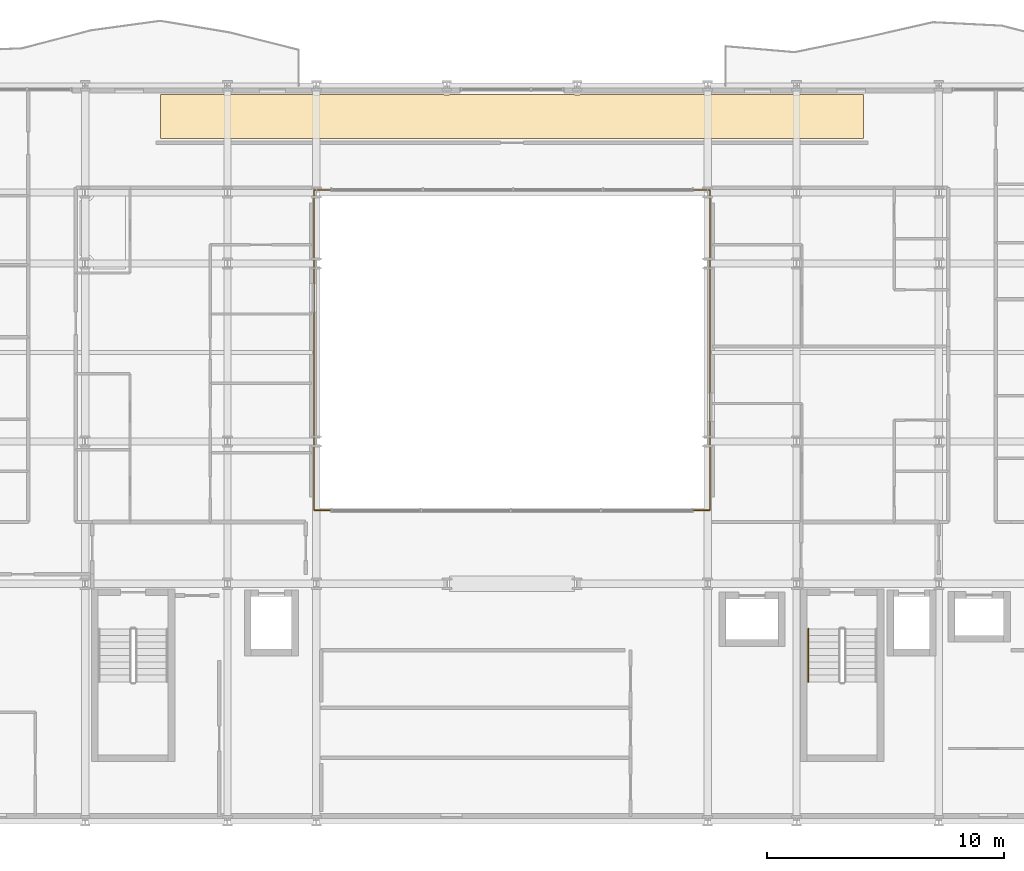
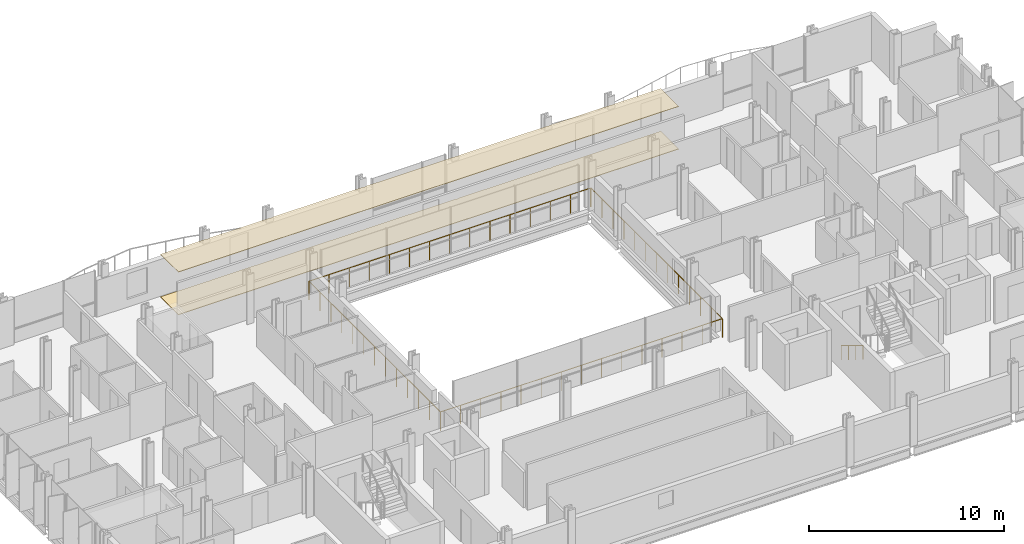
# One storey, part 36 of 38: 3 railings, 2 coverings.
"""IFC4 building model written with IfcOpenShell, lengths in metres."""

from ifc_helpers import new_model, si_unit, direction, frame, origin, origin_2d, place, context, subcontext, project, spatial, polyline, circle, outline, extrude, material, layer, layer_set, type_object, element, save


model = new_model("IFC4")

# Units and contexts
model_context = context("Model", 3, precision=1e-05, world=origin(), true_north=direction((0.0, 1.0)))
body_context = subcontext(model_context, "Body", "Model", "MODEL_VIEW")
ifc_project = project(units=[si_unit("LENGTHUNIT", "METRE"), si_unit("AREAUNIT", "SQUARE_METRE"), si_unit("VOLUMEUNIT", "CUBIC_METRE"), si_unit("PLANEANGLEUNIT", "RADIAN"), si_unit("MASSUNIT", "GRAM", prefix="KILO")], contexts=[model_context])

# Site, building, storey
site_placement = place(None, origin())
site = spatial("IfcSite", under=ifc_project, at=site_placement, CompositionType="ELEMENT")
building_placement = place(site_placement, origin())
building = spatial("IfcBuilding", under=site, at=building_placement, Name="Brevholm Reach", CompositionType="ELEMENT")
storey_placement = place(building_placement, frame((0.0, 0.0, 59.0)))
storey = spatial("IfcBuildingStorey", under=building, at=storey_placement, Name="L16", CompositionType="ELEMENT", Elevation=59.0)

# Coverings
ifc_material_1 = material(Name="Moisture-Resistant Skimmed Gypsum Plasterboard Ceiling", Category="gypsum")
ifc_layer_1 = layer(ifc_material_1, 0.030029296875)
ifc_layer_set_1 = layer_set([ifc_layer_1], Name="Moisture-Resistant Skimmed Gypsum Plasterboard Ceiling")
covering_type_1 = type_object("IfcCoveringType", Name="COV-CLG-GYP", PredefinedType="CEILING", material=ifc_layer_set_1)
covering_1_placement = place(storey_placement, frame((0.0, 0.0, 2.669921875)))
element("IfcCovering", 1, at=covering_1_placement, inside=storey, type_object=covering_type_1, Name="L16 Suspended Ceiling L16-73", PredefinedType="CEILING", context=body_context, shape_type="SweptSolid", body=[
    extrude(outline(polyline([(15.179931640625, 30.6201171875), (17.876220703125, 30.6201171875), (17.8837890625, 30.6171875), (17.922119140625, 30.607666015625), (17.960693359375, 30.601806640625), (18.0, 30.60009765625), (18.039306640625, 30.601806640625), (18.077880859375, 30.607666015625), (18.1162109375, 30.6171875), (18.123779296875, 30.6201171875), (21.626220703125, 30.6201171875), (21.6337890625, 30.6171875), (21.672119140625, 30.607666015625), (21.710693359375, 30.601806640625), (21.75, 30.60009765625), (21.789306640625, 30.601806640625), (21.827880859375, 30.607666015625), (21.8662109375, 30.6171875), (21.873779296875, 30.6201171875), (27.126220703125, 30.6201171875), (27.1337890625, 30.6171875), (27.172119140625, 30.607666015625), (27.210693359375, 30.601806640625), (27.25, 30.60009765625), (27.289306640625, 30.601806640625), (27.327880859375, 30.607666015625), (27.3662109375, 30.6171875), (27.373779296875, 30.6201171875), (32.626220703125, 30.6201171875), (32.6337890625, 30.6171875), (32.672119140625, 30.607666015625), (32.710693359375, 30.601806640625), (32.75, 30.60009765625), (32.789306640625, 30.601806640625), (32.827880859375, 30.607666015625), (32.8662109375, 30.6171875), (32.873779296875, 30.6201171875), (38.126220703125, 30.6201171875), (38.1337890625, 30.6171875), (38.172119140625, 30.607666015625), (38.210693359375, 30.601806640625), (38.25, 30.60009765625), (38.289306640625, 30.601806640625), (38.327880859375, 30.607666015625), (38.3662109375, 30.6171875), (38.373779296875, 30.6201171875), (41.876220703125, 30.6201171875), (41.8837890625, 30.6171875), (41.922119140625, 30.607666015625), (41.960693359375, 30.601806640625), (42.0, 30.60009765625), (42.039306640625, 30.601806640625), (42.077880859375, 30.607666015625), (42.1162109375, 30.6171875), (42.123779296875, 30.6201171875), (44.820068359375, 30.6201171875), (44.820068359375, 28.783935546875), (15.179931640625, 28.783935546875), (15.179931640625, 30.6201171875)])), origin(), (0.0, 0.0, 1.0), 0.030029296875),
])
ifc_material_2 = material(Name="Honed Portland-Aggregate Resin Terrazzo Flooring", Category="concrete")
ifc_layer_2 = layer(ifc_material_2, 0.031982421875)
ifc_layer_set_2 = layer_set([ifc_layer_2], Name="Honed Portland-Aggregate Resin Terrazzo Flooring")
covering_type_2 = type_object("IfcCoveringType", Name="COV-FLR-TRZ", PredefinedType="FLOORING", material=ifc_layer_set_2)
covering_2_placement = place(storey_placement, origin())
element("IfcCovering", 2, at=covering_2_placement, inside=storey, type_object=covering_type_2, Name="L16 Floor Finish L16-73", PredefinedType="FLOORING", context=body_context, shape_type="SweptSolid", body=[
    extrude(outline(polyline([(15.179931640625, 30.6201171875), (17.876220703125, 30.6201171875), (17.8837890625, 30.6171875), (17.922119140625, 30.607666015625), (17.960693359375, 30.601806640625), (18.0, 30.60009765625), (18.039306640625, 30.601806640625), (18.077880859375, 30.607666015625), (18.1162109375, 30.6171875), (18.123779296875, 30.6201171875), (21.626220703125, 30.6201171875), (21.6337890625, 30.6171875), (21.672119140625, 30.607666015625), (21.710693359375, 30.601806640625), (21.75, 30.60009765625), (21.789306640625, 30.601806640625), (21.827880859375, 30.607666015625), (21.8662109375, 30.6171875), (21.873779296875, 30.6201171875), (27.126220703125, 30.6201171875), (27.1337890625, 30.6171875), (27.172119140625, 30.607666015625), (27.210693359375, 30.601806640625), (27.25, 30.60009765625), (27.289306640625, 30.601806640625), (27.327880859375, 30.607666015625), (27.3662109375, 30.6171875), (27.373779296875, 30.6201171875), (32.626220703125, 30.6201171875), (32.6337890625, 30.6171875), (32.672119140625, 30.607666015625), (32.710693359375, 30.601806640625), (32.75, 30.60009765625), (32.789306640625, 30.601806640625), (32.827880859375, 30.607666015625), (32.8662109375, 30.6171875), (32.873779296875, 30.6201171875), (38.126220703125, 30.6201171875), (38.1337890625, 30.6171875), (38.172119140625, 30.607666015625), (38.210693359375, 30.601806640625), (38.25, 30.60009765625), (38.289306640625, 30.601806640625), (38.327880859375, 30.607666015625), (38.3662109375, 30.6171875), (38.373779296875, 30.6201171875), (41.876220703125, 30.6201171875), (41.8837890625, 30.6171875), (41.922119140625, 30.607666015625), (41.960693359375, 30.601806640625), (42.0, 30.60009765625), (42.039306640625, 30.601806640625), (42.077880859375, 30.607666015625), (42.1162109375, 30.6171875), (42.123779296875, 30.6201171875), (44.820068359375, 30.6201171875), (44.820068359375, 28.783935546875), (15.179931640625, 28.783935546875), (15.179931640625, 30.6201171875)])), origin(), (0.0, 0.0, 1.0), 0.031982421875),
])

# Railings
ifc_material_3 = material(Name="Brushed Stainless Steel EN 1.4401 Continuous Handrail", Category="steel")
railing_type_1 = type_object("IfcRailingType", Name="RAL-HND-950", PredefinedType="HANDRAIL", material=ifc_material_3)
railing_1_placement = place(storey_placement, frame((42.5, 8.10009765625, 0.172119140625)))
element("IfcRailing", 3, at=railing_1_placement, inside=storey, type_object=railing_type_1, Name="L16 ST-2 stair handrail 1", PredefinedType="HANDRAIL", context=body_context, shape_type="SweptSolid", body=[
    extrude(circle(Radius=0.02392578125, at=origin_2d()), frame((0.0, 0.0, 0.8857421875), z_axis=(0.0, -0.851747552033, 0.523952390591), x_axis=(1.0, 0.0, 0.0)), (0.0, 0.0, 1.0), 2.6298828125),
    extrude(circle(Radius=0.02099609375, at=origin_2d()), origin(), (0.0, 0.0, 1.0), 0.86181640625),
    extrude(circle(Radius=0.02099609375, at=origin_2d()), frame((0.0, -0.74658203125, 0.459228515625)), (0.0, 0.0, 1.0), 0.86181640625),
    extrude(circle(Radius=0.02099609375, at=origin_2d()), frame((0.0, -1.493408203125, 0.918701171875)), (0.0, 0.0, 1.0), 0.86181640625),
    extrude(circle(Radius=0.02099609375, at=origin_2d()), frame((0.0, -2.239990234375, 1.3779296875)), (0.0, 0.0, 1.0), 0.86181640625),
])
ifc_material_4 = material(Name="Brushed Stainless Steel EN 1.4401 and Laminated Glass", Category="steel")
railing_type_2 = type_object("IfcRailingType", Name="RAL-TERR-1200", PredefinedType="BALUSTRADE", material=ifc_material_4)
railing_2_placement = place(storey_placement, frame((21.64990234375, 13.10009765625, 0.0)))
element("IfcRailing", 4, at=railing_2_placement, inside=storey, type_object=railing_type_2, Name="L16 Guard Balustrade RAL-L16-AT-VOID-SW", PredefinedType="BALUSTRADE", context=body_context, shape_type="SweptSolid", body=[
    extrude(circle(Radius=0.02392578125, at=origin_2d()), frame((0.0, 0.0, 1.17578125), z_axis=(1.0, 0.0, 0.0), x_axis=(0.0, 1.0, 0.0)), (0.0, 0.0, 1.0), 16.7001953125),
    extrude(circle(Radius=0.02392578125, at=origin_2d()), frame((16.7001953125, 0.0, 1.17578125), z_axis=(0.0, 1.0, 0.0), x_axis=(-1.0, 0.0, 0.0)), (0.0, 0.0, 1.0), 13.47998046875),
    extrude(circle(Radius=0.02099609375, at=origin_2d()), origin(), (0.0, 0.0, 1.0), 1.15185546875),
    extrude(circle(Radius=0.02099609375, at=origin_2d()), frame((1.19287109375, 0.0, 0.0)), (0.0, 0.0, 1.0), 1.15185546875),
    extrude(circle(Radius=0.02099609375, at=origin_2d()), frame((2.3857421875, 0.0, 0.0)), (0.0, 0.0, 1.0), 1.15185546875),
    extrude(circle(Radius=0.02099609375, at=origin_2d()), frame((3.57861328125, 0.0, 0.0)), (0.0, 0.0, 1.0), 1.15185546875),
    extrude(circle(Radius=0.02099609375, at=origin_2d()), frame((4.771484375, 0.0, 0.0)), (0.0, 0.0, 1.0), 1.15185546875),
    extrude(circle(Radius=0.02099609375, at=origin_2d()), frame((5.96435546875, 0.0, 0.0)), (0.0, 0.0, 1.0), 1.15185546875),
    extrude(circle(Radius=0.02099609375, at=origin_2d()), frame((7.1572265625, 0.0, 0.0)), (0.0, 0.0, 1.0), 1.15185546875),
    extrude(circle(Radius=0.02099609375, at=origin_2d()), frame((8.35009765625, 0.0, 0.0)), (0.0, 0.0, 1.0), 1.15185546875),
    extrude(circle(Radius=0.02099609375, at=origin_2d()), frame((9.54296875, 0.0, 0.0)), (0.0, 0.0, 1.0), 1.15185546875),
    extrude(circle(Radius=0.02099609375, at=origin_2d()), frame((10.73583984375, 0.0, 0.0)), (0.0, 0.0, 1.0), 1.15185546875),
    extrude(circle(Radius=0.02099609375, at=origin_2d()), frame((11.9287109375, 0.0, 0.0)), (0.0, 0.0, 1.0), 1.15185546875),
    extrude(circle(Radius=0.02099609375, at=origin_2d()), frame((13.12158203125, 0.0, 0.0)), (0.0, 0.0, 1.0), 1.15185546875),
    extrude(circle(Radius=0.02099609375, at=origin_2d()), frame((14.314453125, 0.0, 0.0)), (0.0, 0.0, 1.0), 1.15185546875),
    extrude(circle(Radius=0.02099609375, at=origin_2d()), frame((15.50732421875, 0.0, 0.0)), (0.0, 0.0, 1.0), 1.15185546875),
    extrude(circle(Radius=0.02099609375, at=origin_2d()), frame((16.7001953125, 0.0, 0.0)), (0.0, 0.0, 1.0), 1.15185546875),
    extrude(circle(Radius=0.02099609375, at=origin_2d()), frame((16.7001953125, 1.123291015625, 0.0)), (0.0, 0.0, 1.0), 1.15185546875),
    extrude(circle(Radius=0.02099609375, at=origin_2d()), frame((16.7001953125, 2.24658203125, 0.0)), (0.0, 0.0, 1.0), 1.15185546875),
    extrude(circle(Radius=0.02099609375, at=origin_2d()), frame((16.7001953125, 3.3701171875, 0.0)), (0.0, 0.0, 1.0), 1.15185546875),
    extrude(circle(Radius=0.02099609375, at=origin_2d()), frame((16.7001953125, 4.493408203125, 0.0)), (0.0, 0.0, 1.0), 1.15185546875),
    extrude(circle(Radius=0.02099609375, at=origin_2d()), frame((16.7001953125, 5.61669921875, 0.0)), (0.0, 0.0, 1.0), 1.15185546875),
    extrude(circle(Radius=0.02099609375, at=origin_2d()), frame((16.7001953125, 6.739990234375, 0.0)), (0.0, 0.0, 1.0), 1.15185546875),
    extrude(circle(Radius=0.02099609375, at=origin_2d()), frame((16.7001953125, 7.86328125, 0.0)), (0.0, 0.0, 1.0), 1.15185546875),
    extrude(circle(Radius=0.02099609375, at=origin_2d()), frame((16.7001953125, 8.986572265625, 0.0)), (0.0, 0.0, 1.0), 1.15185546875),
    extrude(circle(Radius=0.02099609375, at=origin_2d()), frame((16.7001953125, 10.10986328125, 0.0)), (0.0, 0.0, 1.0), 1.15185546875),
    extrude(circle(Radius=0.02099609375, at=origin_2d()), frame((16.7001953125, 11.2333984375, 0.0)), (0.0, 0.0, 1.0), 1.15185546875),
    extrude(circle(Radius=0.02099609375, at=origin_2d()), frame((16.7001953125, 12.356689453125, 0.0)), (0.0, 0.0, 1.0), 1.15185546875),
    extrude(circle(Radius=0.02099609375, at=origin_2d()), frame((16.7001953125, 13.47998046875, 0.0)), (0.0, 0.0, 1.0), 1.15185546875),
])
railing_3_placement = place(storey_placement, frame((38.330078125, 26.60009765625, 0.0)))
element("IfcRailing", 5, at=railing_3_placement, inside=storey, type_object=railing_type_2, Name="L16 Guard Balustrade RAL-L16-AT-VOID-NE", PredefinedType="BALUSTRADE", context=body_context, shape_type="SweptSolid", body=[
    extrude(circle(Radius=0.02392578125, at=origin_2d()), frame((0.0, 0.0, 1.17578125), z_axis=(-1.0, 0.0, 0.0), x_axis=(0.0, -1.0, 0.0)), (0.0, 0.0, 1.0), 16.68017578125),
    extrude(circle(Radius=0.02392578125, at=origin_2d()), frame((-16.68017578125, 0.0, 1.17578125), z_axis=(0.0, -1.0, 0.0), x_axis=(1.0, 0.0, 0.0)), (0.0, 0.0, 1.0), 13.47998046875),
    extrude(circle(Radius=0.02099609375, at=origin_2d()), origin(), (0.0, 0.0, 1.0), 1.15185546875),
    extrude(circle(Radius=0.02099609375, at=origin_2d()), frame((-1.19140625, 0.0, 0.0)), (0.0, 0.0, 1.0), 1.15185546875),
    extrude(circle(Radius=0.02099609375, at=origin_2d()), frame((-2.3828125, 0.0, 0.0)), (0.0, 0.0, 1.0), 1.15185546875),
    extrude(circle(Radius=0.02099609375, at=origin_2d()), frame((-3.57421875, 0.0, 0.0)), (0.0, 0.0, 1.0), 1.15185546875),
    extrude(circle(Radius=0.02099609375, at=origin_2d()), frame((-4.765869140625, 0.0, 0.0)), (0.0, 0.0, 1.0), 1.15185546875),
    extrude(circle(Radius=0.02099609375, at=origin_2d()), frame((-5.957275390625, 0.0, 0.0)), (0.0, 0.0, 1.0), 1.15185546875),
    extrude(circle(Radius=0.02099609375, at=origin_2d()), frame((-7.148681640625, 0.0, 0.0)), (0.0, 0.0, 1.0), 1.15185546875),
    extrude(circle(Radius=0.02099609375, at=origin_2d()), frame((-8.340087890625, 0.0, 0.0)), (0.0, 0.0, 1.0), 1.15185546875),
    extrude(circle(Radius=0.02099609375, at=origin_2d()), frame((-9.531494140625, 0.0, 0.0)), (0.0, 0.0, 1.0), 1.15185546875),
    extrude(circle(Radius=0.02099609375, at=origin_2d()), frame((-10.722900390625, 0.0, 0.0)), (0.0, 0.0, 1.0), 1.15185546875),
    extrude(circle(Radius=0.02099609375, at=origin_2d()), frame((-11.914306640625, 0.0, 0.0)), (0.0, 0.0, 1.0), 1.15185546875),
    extrude(circle(Radius=0.02099609375, at=origin_2d()), frame((-13.10595703125, 0.0, 0.0)), (0.0, 0.0, 1.0), 1.15185546875),
    extrude(circle(Radius=0.02099609375, at=origin_2d()), frame((-14.29736328125, 0.0, 0.0)), (0.0, 0.0, 1.0), 1.15185546875),
    extrude(circle(Radius=0.02099609375, at=origin_2d()), frame((-15.48876953125, 0.0, 0.0)), (0.0, 0.0, 1.0), 1.15185546875),
    extrude(circle(Radius=0.02099609375, at=origin_2d()), frame((-16.68017578125, 0.0, 0.0)), (0.0, 0.0, 1.0), 1.15185546875),
    extrude(circle(Radius=0.02099609375, at=origin_2d()), frame((-16.68017578125, -1.123291015625, 0.0)), (0.0, 0.0, 1.0), 1.15185546875),
    extrude(circle(Radius=0.02099609375, at=origin_2d()), frame((-16.68017578125, -2.24658203125, 0.0)), (0.0, 0.0, 1.0), 1.15185546875),
    extrude(circle(Radius=0.02099609375, at=origin_2d()), frame((-16.68017578125, -3.3701171875, 0.0)), (0.0, 0.0, 1.0), 1.15185546875),
    extrude(circle(Radius=0.02099609375, at=origin_2d()), frame((-16.68017578125, -4.493408203125, 0.0)), (0.0, 0.0, 1.0), 1.15185546875),
    extrude(circle(Radius=0.02099609375, at=origin_2d()), frame((-16.68017578125, -5.61669921875, 0.0)), (0.0, 0.0, 1.0), 1.15185546875),
    extrude(circle(Radius=0.02099609375, at=origin_2d()), frame((-16.68017578125, -6.739990234375, 0.0)), (0.0, 0.0, 1.0), 1.15185546875),
    extrude(circle(Radius=0.02099609375, at=origin_2d()), frame((-16.68017578125, -7.86328125, 0.0)), (0.0, 0.0, 1.0), 1.15185546875),
    extrude(circle(Radius=0.02099609375, at=origin_2d()), frame((-16.68017578125, -8.986572265625, 0.0)), (0.0, 0.0, 1.0), 1.15185546875),
    extrude(circle(Radius=0.02099609375, at=origin_2d()), frame((-16.68017578125, -10.10986328125, 0.0)), (0.0, 0.0, 1.0), 1.15185546875),
    extrude(circle(Radius=0.02099609375, at=origin_2d()), frame((-16.68017578125, -11.2333984375, 0.0)), (0.0, 0.0, 1.0), 1.15185546875),
    extrude(circle(Radius=0.02099609375, at=origin_2d()), frame((-16.68017578125, -12.356689453125, 0.0)), (0.0, 0.0, 1.0), 1.15185546875),
    extrude(circle(Radius=0.02099609375, at=origin_2d()), frame((-16.68017578125, -13.47998046875, 0.0)), (0.0, 0.0, 1.0), 1.15185546875),
])

save(model, "model.ifc")
